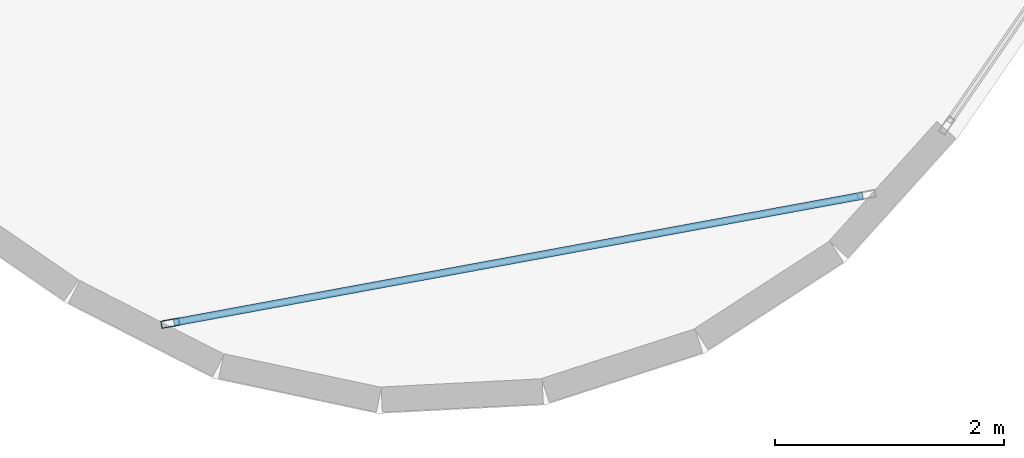
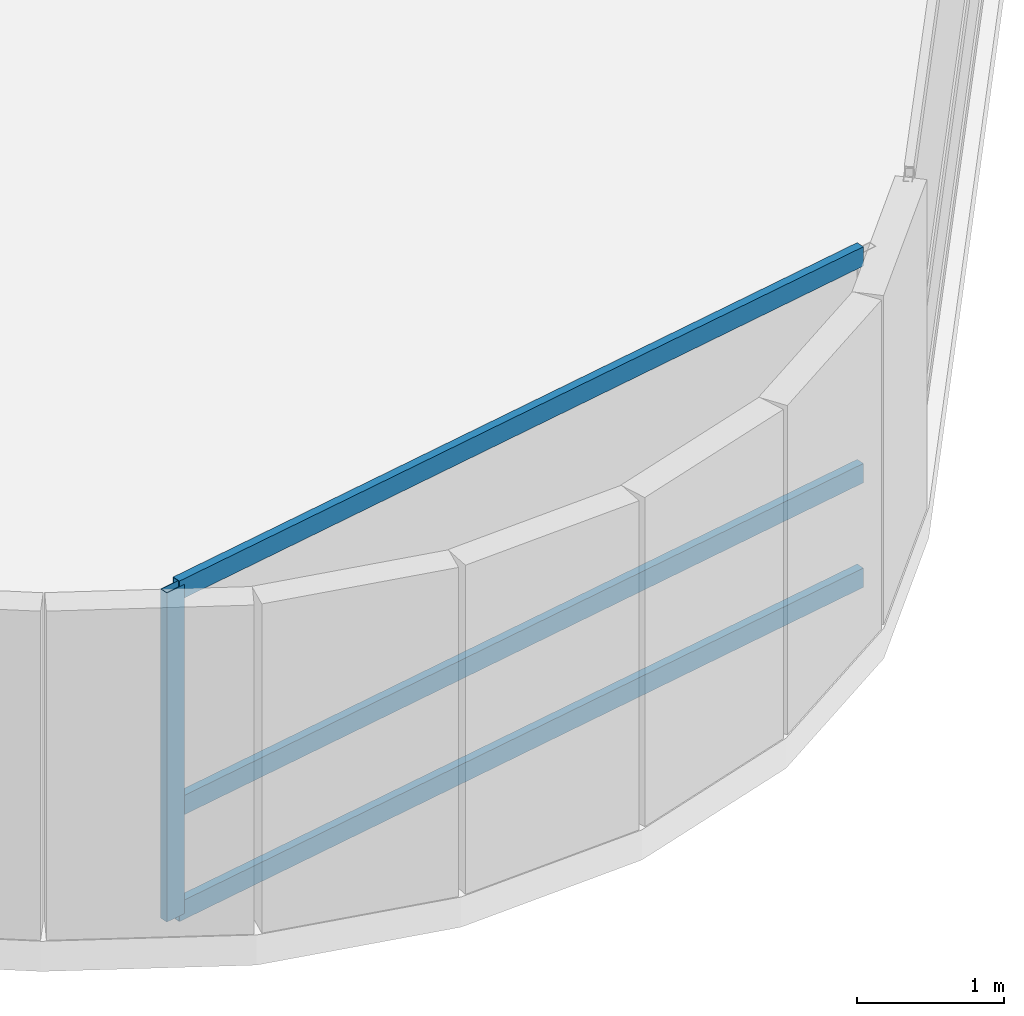
# One storey, part 2 of 26: 4 members, 1 element without a shape of its own.
"""IFC4 building model written with IfcOpenShell, lengths in metres."""

from ifc_helpers import new_model, si_unit, direction, frame, origin, origin_2d, place, context, subcontext, project, spatial, hollow_rectangle, extrude, material, layer, layer_set, material_profile, profile_set, type_object, element, aggregate, save


model = new_model("IFC4")

# Units and contexts
model_context = context("Model", 3, precision=1e-05, world=origin(), true_north=direction((0.0, 1.0)))
body_context = subcontext(model_context, "Body", "Model", "MODEL_VIEW")
ifc_project = project(units=[si_unit("LENGTHUNIT", "METRE"), si_unit("AREAUNIT", "SQUARE_METRE"), si_unit("VOLUMEUNIT", "CUBIC_METRE"), si_unit("PLANEANGLEUNIT", "RADIAN"), si_unit("MASSUNIT", "GRAM", prefix="KILO")], contexts=[model_context])

# Site, building, storey
site_placement = place(None, origin())
site = spatial("IfcSite", under=ifc_project, at=site_placement, CompositionType="ELEMENT")
building_placement = place(site_placement, origin())
building = spatial("IfcBuilding", under=site, at=building_placement, Name="Varnelok Gate Tower", CompositionType="ELEMENT")
storey_placement = place(building_placement, frame((0.0, 0.0, 45.5)))
storey = spatial("IfcBuildingStorey", under=building, at=storey_placement, Name="L10", CompositionType="ELEMENT", Elevation=45.5)

# Curtain wall, members
ifc_material = material(Name="Anodized Aluminum Alloy 6063-T6", Category="aluminium")
ifc_layer = layer(ifc_material, 0.179931640625)
ifc_layer_set = layer_set([ifc_layer], Name="Anodized Aluminum Alloy 6063-T6")
curtain_wall_type = type_object("IfcCurtainWallType", Name="CW5-WINDCORNER-GLAZ", PredefinedType="USERDEFINED", material=ifc_layer_set)
curtain_wall_placement = place(storey_placement, origin())
curtain_wall = element("IfcCurtainWall", 1, at=curtain_wall_placement, inside=storey, type_object=curtain_wall_type, Name="L10 Wind-Shaped Corner Curtain Wall SE", ObjectType="STRUCTURAL GLAZING", PredefinedType="USERDEFINED")
ifc_material_profile_1 = material_profile(ifc_material, hollow_rectangle(XDim=0.06494140625, YDim=0.159912109375, WallThickness=0.00390625, at=origin_2d()), Name="ALU160X65X4")
ifc_profile_set_1 = profile_set([ifc_material_profile_1], Name="Anodized Aluminum Alloy 6063-T6")
member_type_1 = type_object("IfcMemberType", Name="CW-MULL-160", PredefinedType="MULLION", material=ifc_profile_set_1)
member_1_placement = place(storey_placement, frame((53.441162109375, -14.778076171875, 0.0), z_axis=(0.0, 0.0, 1.0), x_axis=(-0.181203239917, 0.983445670001, 0.0)))
member_1 = element("IfcMember", 2, at=member_1_placement, type_object=member_type_1, Name="CW5 mullion 1", PredefinedType="MULLION", context=body_context, shape_type="SweptSolid", body=[
    extrude(hollow_rectangle(XDim=0.06494140625, YDim=0.159912109375, WallThickness=0.00390625, at=origin_2d()), origin(), (0.0, 0.0, 1.0), 2.72998046875),
])
ifc_material_profile_2 = material_profile(ifc_material, hollow_rectangle(XDim=0.06494140625, YDim=0.159912109375, WallThickness=0.00390625, at=origin_2d()), Name="ALU160X65X4")
ifc_profile_set_2 = profile_set([ifc_material_profile_2], Name="Anodized Aluminum Alloy 6063-T6")
member_type_2 = type_object("IfcMemberType", Name="CW-TRAN-160", PredefinedType="USERDEFINED", material=ifc_profile_set_2)
member_2_placement = place(storey_placement, frame((53.47314453125, -14.772216796875, 0.032470703125), z_axis=(0.983440439524, 0.181231625025, 0.0), x_axis=(-0.181231625025, 0.983440439524, 0.0)))
member_2 = element("IfcMember", 3, at=member_2_placement, type_object=member_type_2, Name="CW5 transom 1.1", ObjectType="TRANSOM", PredefinedType="USERDEFINED", context=body_context, shape_type="SweptSolid", body=[
    extrude(hollow_rectangle(XDim=0.06494140625, YDim=0.159912109375, WallThickness=0.00390625, at=origin_2d()), origin(), (0.0, 0.0, 1.0), 6.1064453125),
])
member_3_placement = place(storey_placement, frame((53.47314453125, -14.772216796875, 0.89990234375), z_axis=(0.983440439524, 0.181231625025, 0.0), x_axis=(-0.181231625025, 0.983440439524, 0.0)))
member_3 = element("IfcMember", 4, at=member_3_placement, type_object=member_type_2, Name="CW5 transom 1.2", ObjectType="TRANSOM", PredefinedType="USERDEFINED", context=body_context, shape_type="SweptSolid", body=[
    extrude(hollow_rectangle(XDim=0.06494140625, YDim=0.159912109375, WallThickness=0.00390625, at=origin_2d()), origin(), (0.0, 0.0, 1.0), 6.1064453125),
])
member_4_placement = place(storey_placement, frame((53.47314453125, -14.772216796875, 2.697509765625), z_axis=(0.983440439524, 0.181231625025, 0.0), x_axis=(-0.181231625025, 0.983440439524, 0.0)))
member_4 = element("IfcMember", 5, at=member_4_placement, type_object=member_type_2, Name="CW5 transom 1.3", ObjectType="TRANSOM", PredefinedType="USERDEFINED", context=body_context, shape_type="SweptSolid", body=[
    extrude(hollow_rectangle(XDim=0.06494140625, YDim=0.159912109375, WallThickness=0.00390625, at=origin_2d()), origin(), (0.0, 0.0, 1.0), 6.1064453125),
])
aggregate(curtain_wall, [member_1, member_2, member_3, member_4])

save(model, "model.ifc")
